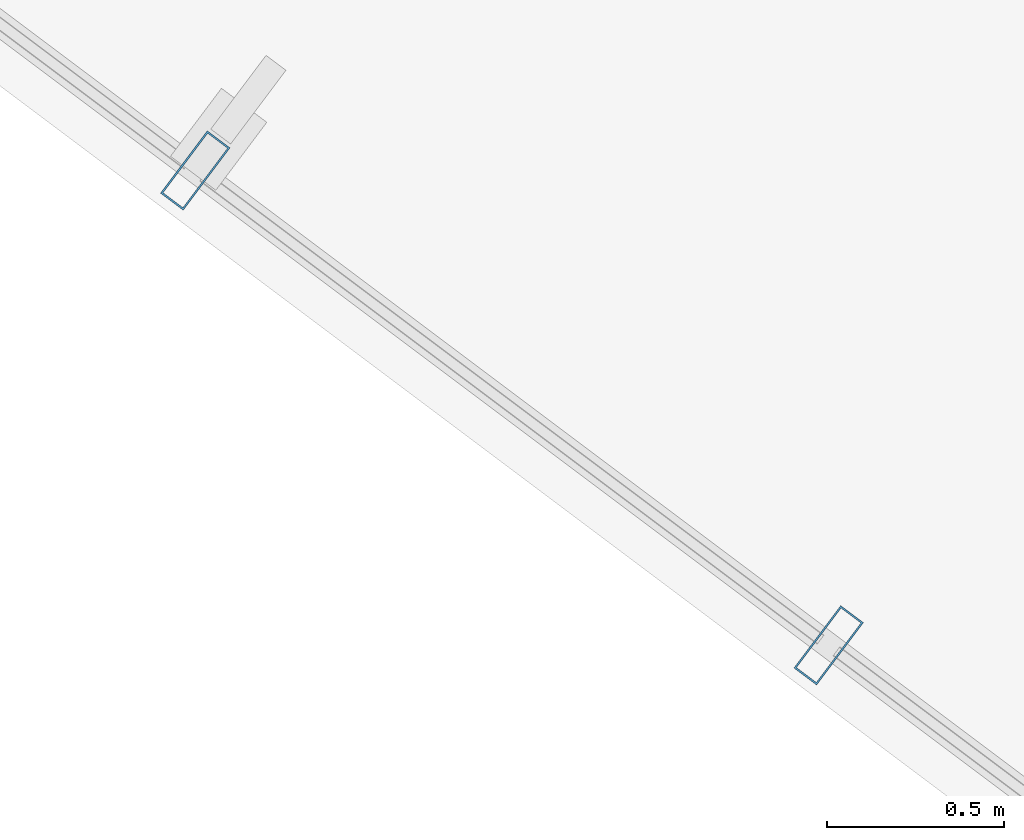
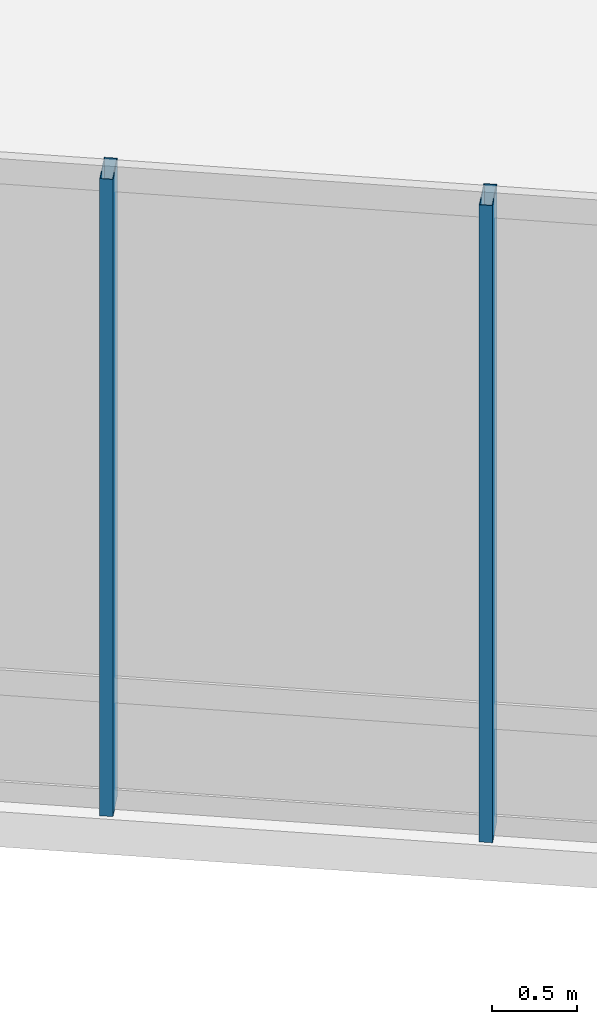
# One storey, part 4 of 30: 2 members, 1 element without a shape of its own.
"""IFC4 building model written with IfcOpenShell, lengths in metres."""

from ifc_helpers import new_model, si_unit, direction, frame, origin, origin_2d, place, context, subcontext, project, spatial, hollow_rectangle, extrude, material, layer, layer_set, material_profile, profile_set, type_object, element, aggregate, save


model = new_model("IFC4")

# Units and contexts
model_context = context("Model", 3, precision=1e-05, world=origin(), true_north=direction((0.0, 1.0)))
body_context = subcontext(model_context, "Body", "Model", "MODEL_VIEW")
ifc_project = project(units=[si_unit("LENGTHUNIT", "METRE"), si_unit("AREAUNIT", "SQUARE_METRE"), si_unit("VOLUMEUNIT", "CUBIC_METRE"), si_unit("PLANEANGLEUNIT", "RADIAN"), si_unit("MASSUNIT", "GRAM", prefix="KILO")], contexts=[model_context])

# Site, building, storey
site_placement = place(None, origin())
site = spatial("IfcSite", under=ifc_project, at=site_placement, CompositionType="ELEMENT")
building_placement = place(site_placement, origin())
building = spatial("IfcBuilding", under=site, at=building_placement, Name="Hatsunagi Terrace Concourse", CompositionType="ELEMENT")
storey_placement = place(building_placement, frame((0.0, 0.0, 130.050048828125)))
storey = spatial("IfcBuildingStorey", under=building, at=storey_placement, Name="L34", CompositionType="ELEMENT", Elevation=130.050048828125)

# Curtain wall, members
ifc_material_1 = material(Name="Anodised Aluminium Alloy 6063-T5", Category="aluminium")
ifc_layer = layer(ifc_material_1, 0.199951171875)
ifc_layer_set = layer_set([ifc_layer], Name="SkyLobbyAtrium_CW05")
curtain_wall_type = type_object("IfcCurtainWallType", Name="SkyLobbyAtrium_CW05", PredefinedType="NOTDEFINED", material=ifc_layer_set)
curtain_wall_placement = place(storey_placement, origin())
curtain_wall = element("IfcCurtainWall", 1, at=curtain_wall_placement, inside=storey, type_object=curtain_wall_type, Name="Unitised Curtain Wall CW-05 CW-L34-05", PredefinedType="NOTDEFINED")
ifc_material_2 = material(Name="Anodised Aluminium Alloy 6063-T5", Category="aluminium")
ifc_material_profile = material_profile(ifc_material_2, hollow_rectangle(XDim=0.080078125, YDim=0.219970703125, WallThickness=0.0048828125, at=origin_2d()), Name="ALU-MUL-220x80x5")
ifc_profile_set = profile_set([ifc_material_profile], Name="Anodised Aluminium Alloy 6063-T5")
member_type = type_object("IfcMemberType", Name="CurtainWallMullion_Heavy_220x80", PredefinedType="MULLION", material=ifc_profile_set)
member_1_placement = place(storey_placement, frame((35.97705078125, 15.492919921875, 0.0), z_axis=(0.0, 0.0, 1.0), x_axis=(-0.800005211305, 0.599993051531, 0.0)))
member_1 = element("IfcMember", 2, at=member_1_placement, type_object=member_type, Name="Curtain Wall Mullion MUL-01", PredefinedType="MULLION", context=body_context, shape_type="SweptSolid", body=[
    extrude(hollow_rectangle(XDim=0.080078125, YDim=0.219970703125, WallThickness=0.0048828125, at=origin_2d()), origin(), (0.0, 0.0, 1.0), 4.550048828125),
])
member_2_placement = place(storey_placement, frame((34.18798828125, 16.833984375, 0.0), z_axis=(0.0, 0.0, 1.0), x_axis=(-0.800005211305, 0.599993051531, 0.0)))
member_2 = element("IfcMember", 3, at=member_2_placement, type_object=member_type, Name="Curtain Wall Mullion MUL-01", PredefinedType="MULLION", context=body_context, shape_type="SweptSolid", body=[
    extrude(hollow_rectangle(XDim=0.080078125, YDim=0.219970703125, WallThickness=0.0048828125, at=origin_2d()), origin(), (0.0, 0.0, 1.0), 4.550048828125),
])
aggregate(curtain_wall, [member_1, member_2])

save(model, "model.ifc")
